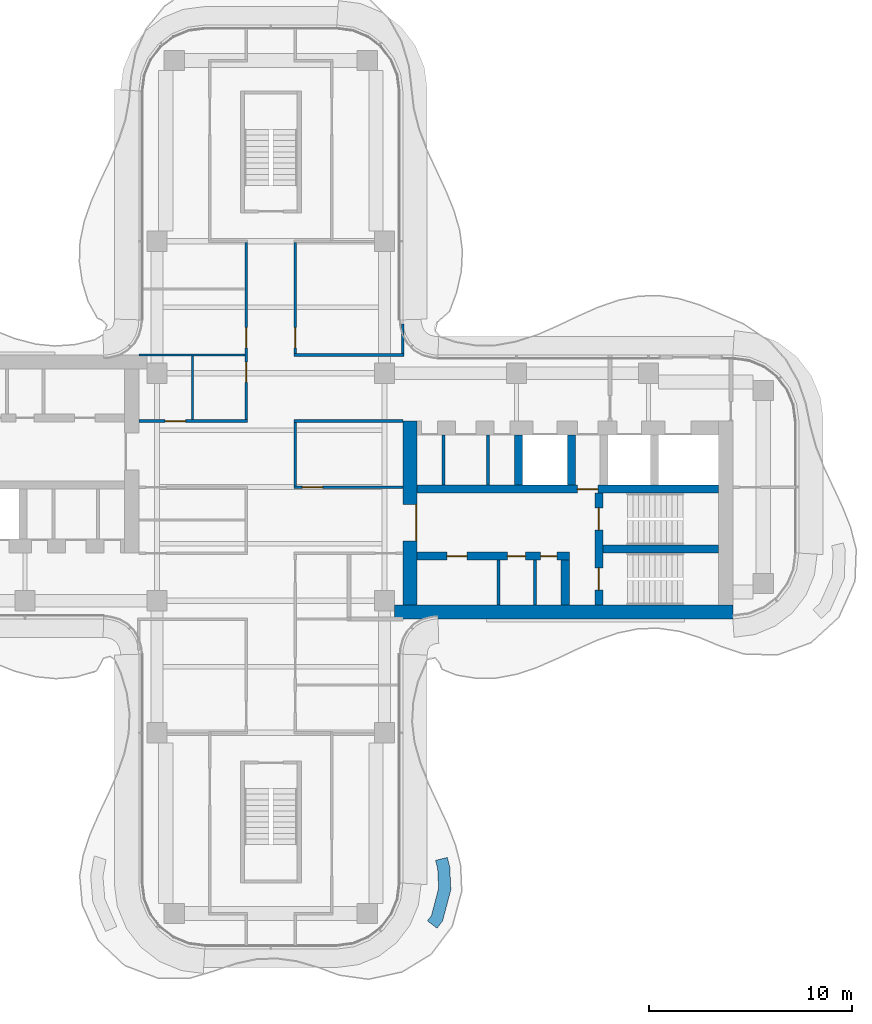
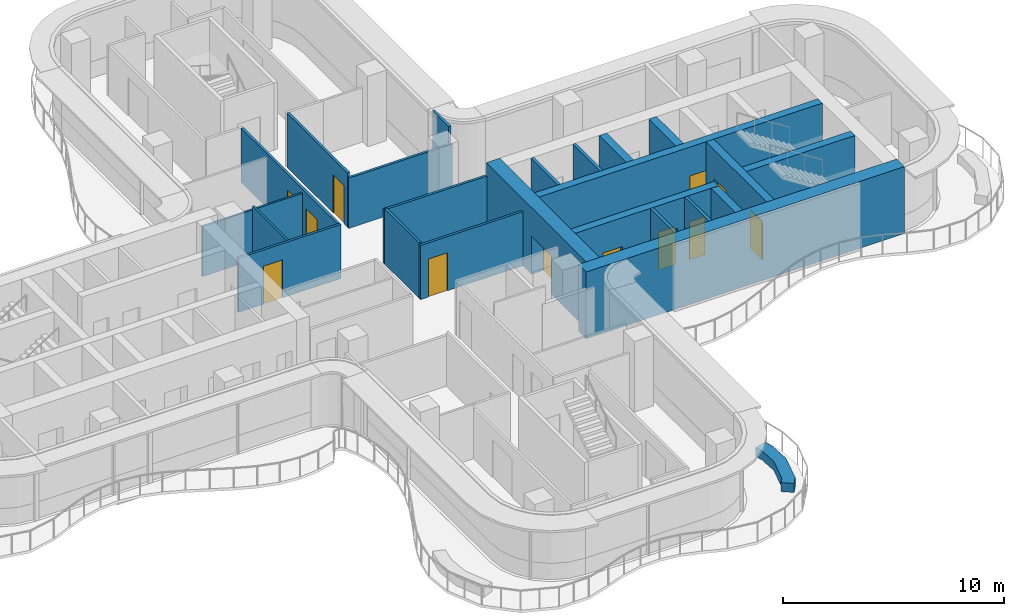
# One storey, part 13 of 17: 24 walls, 12 doors, 12 openings.
"""IFC4 building model written with IfcOpenShell, lengths in metres."""

import ifcopenshell
import ifcopenshell.guid

model = None  # the IFC model being written
_history = None  # IfcOwnerHistory: only IFC2X3 demands one
_inside = {}  # id of a spatial element -> (the spatial element, [elements in it])
_under = {}  # id of a project, library or spatial element -> (it, [spatial elements below it])
_declared = {}  # id of a project -> (the project, [libraries it declares])
_typed = {}  # id of a type object -> (the type object, [elements of that type])
_made_of = {}  # id of a material, layer set ... -> (it, [elements and type objects made of it])


def new_model(schema):
    """Start an empty IFC model of exactly this schema.

    Asked for "IFC4X3", IfcOpenShell would pick the latest addendum, in which some entities
    have other attributes; the version numbers below select the first issue.
    IFC2X3 requires an IfcOwnerHistory on every rooted entity: one is made here for all.
    """
    global model, _history
    if schema == "IFC4X3":
        model = ifcopenshell.file(schema_version=(4, 3, 0, 0))
    else:
        model = ifcopenshell.file(schema=schema)
    _inside.clear()
    _under.clear()
    _declared.clear()
    _typed.clear()
    _made_of.clear()
    _history = None
    if model.schema == "IFC2X3":
        org = make("IfcOrganization", Name="unknown")
        user = make(
            "IfcPersonAndOrganization",
            ThePerson=make("IfcPerson", FamilyName="unknown"),
            TheOrganization=org,
        )
        app = make(
            "IfcApplication",
            ApplicationDeveloper=org,
            Version="unknown",
            ApplicationFullName="unknown",
            ApplicationIdentifier="unknown",
        )
        _history = make(
            "IfcOwnerHistory",
            OwningUser=user,
            OwningApplication=app,
            ChangeAction="ADDED",
            CreationDate=0,
        )
    return model


def make(cls, **values):
    """One entity of the class cls with the attributes given. An attribute that is None is left unset."""
    return model.create_entity(
        cls, **{name: value for name, value in values.items() if value is not None}
    )


def rooted(cls, **values):
    """An entity with a GlobalId (a new one), such as an element, a storey or a relation."""
    return make(cls, GlobalId=ifcopenshell.guid.new(), OwnerHistory=_history, **values)


def si_unit(unit_type, name, prefix=None):
    """IfcSIUnit, for example si_unit("LENGTHUNIT", "METRE", prefix="MILLI")."""
    return make("IfcSIUnit", UnitType=unit_type, Prefix=prefix, Name=name)


def assignment(units):
    """IfcUnitAssignment: the units of a project."""
    return None if units is None else make("IfcUnitAssignment", Units=units)


def point(xyz):
    """IfcCartesianPoint."""
    return None if xyz is None else make("IfcCartesianPoint", Coordinates=xyz)


def direction(xyz):
    """IfcDirection."""
    return None if xyz is None else make("IfcDirection", DirectionRatios=xyz)


def frame(location, z_axis=None, x_axis=None):
    """IfcAxis2Placement3D, a coordinate frame: its origin and axes. An axis left out is left unset."""
    return make(
        "IfcAxis2Placement3D",
        Location=point(location),
        Axis=direction(z_axis),
        RefDirection=direction(x_axis),
    )


def frame_2d(location, x_axis=None):
    """IfcAxis2Placement2D, a coordinate frame in the plane: its origin and x axis."""
    return make(
        "IfcAxis2Placement2D", Location=point(location), RefDirection=direction(x_axis)
    )


def origin():
    """The frame at (0, 0, 0) with its axes left unset."""
    return frame((0.0, 0.0, 0.0))


def place(relative_to, where):
    """IfcLocalPlacement: puts the frame where relative to a parent placement (None: the world)."""
    return make(
        "IfcLocalPlacement", PlacementRelTo=relative_to, RelativePlacement=where
    )


def context(
    kind, dimensions, precision=None, world=None, true_north=None, identifier=None
):
    """IfcGeometricRepresentationContext, for example the 3D "Model" context."""
    return make(
        "IfcGeometricRepresentationContext",
        ContextIdentifier=identifier,
        ContextType=kind,
        CoordinateSpaceDimension=dimensions,
        Precision=precision,
        WorldCoordinateSystem=world,
        TrueNorth=true_north,
    )


def subcontext(parent, identifier, kind, view, scale=None):
    """IfcGeometricRepresentationSubContext, for example "Body" below "Model"."""
    return make(
        "IfcGeometricRepresentationSubContext",
        ContextIdentifier=identifier,
        ContextType=kind,
        ParentContext=parent,
        TargetScale=scale,
        TargetView=view,
    )


def project(units=None, contexts=None):
    """IfcProject with its units and contexts."""
    return rooted(
        "IfcProject",
        Name="project",
        RepresentationContexts=contexts,
        UnitsInContext=assignment(units),
    )


def spatial(cls, under=None, at=None, **own):
    """A site, building, storey or space (cls), placed at a placement, below another one or the project."""
    s = rooted(cls, ObjectPlacement=at, **own)
    if under is not None:
        _under.setdefault(under.id(), (under, []))[1].append(s)
    return s


def polyline(points):
    """IfcPolyline through the points."""
    return make("IfcPolyline", Points=[point(p) for p in points])


def profile(cls, at=None, kind="AREA", **sizes):
    """A parametric profile (cls). Its sizes go by their IFC names, for example OverallWidth=200.0."""
    return make(cls, ProfileType=kind, Position=at, **sizes)


def rectangle(**sizes):
    """IfcRectangleProfileDef."""
    return profile("IfcRectangleProfileDef", **sizes)


def outline(outer, holes=None, kind="AREA"):
    """IfcArbitraryClosedProfileDef: a profile drawn as a closed curve; with holes, ...WithVoids."""
    if holes is None:
        return make("IfcArbitraryClosedProfileDef", ProfileType=kind, OuterCurve=outer)
    return make(
        "IfcArbitraryProfileDefWithVoids",
        ProfileType=kind,
        OuterCurve=outer,
        InnerCurves=holes,
    )


def extrude(swept, where, along, depth):
    """IfcExtrudedAreaSolid: the profile swept, set in the frame where, extruded along a direction by depth."""
    return make(
        "IfcExtrudedAreaSolid",
        SweptArea=swept,
        Position=where,
        ExtrudedDirection=direction(along),
        Depth=depth,
    )


def shape(context_of_items, identifier, shape_type, items):
    """IfcShapeRepresentation: the items that make up one representation, for example the "Body"."""
    return make(
        "IfcShapeRepresentation",
        ContextOfItems=context_of_items,
        RepresentationIdentifier=identifier,
        RepresentationType=shape_type,
        Items=items,
    )


def source(mapping_origin, context_of_items, identifier, shape_type, items):
    """IfcRepresentationMap: a shape defined once, which mapped items show again and again."""
    return make(
        "IfcRepresentationMap",
        MappingOrigin=mapping_origin,
        MappedRepresentation=shape(context_of_items, identifier, shape_type, items),
    )


def transform(
    local_origin,
    x_axis=None,
    y_axis=None,
    z_axis=None,
    scale=None,
    scale2=None,
    scale3=None,
    uniform=True,
):
    """IfcCartesianTransformationOperator3D, or its non-uniform kind. x_axis, y_axis, z_axis: its Axis1, 2, 3."""
    if uniform:
        return make(
            "IfcCartesianTransformationOperator3D",
            Axis1=direction(x_axis),
            Axis2=direction(y_axis),
            LocalOrigin=point(local_origin),
            Scale=scale,
            Axis3=direction(z_axis),
        )
    return make(
        "IfcCartesianTransformationOperator3DnonUniform",
        Axis1=direction(x_axis),
        Axis2=direction(y_axis),
        LocalOrigin=point(local_origin),
        Scale=scale,
        Axis3=direction(z_axis),
        Scale2=scale2,
        Scale3=scale3,
    )


def mapped(mapping_source, mapping_target):
    """IfcMappedItem: shows the shape of a source again, moved by a transform."""
    return make(
        "IfcMappedItem", MappingSource=mapping_source, MappingTarget=mapping_target
    )


def material(Name=None, Category=None):
    """IfcMaterial."""
    return make("IfcMaterial", Name=Name, Category=Category)


def layer(
    of_material, thickness, ventilated=None, Name=None, Category=None, Priority=None
):
    """IfcMaterialLayer: one layer of a wall or slab, of a material (None: an air gap)."""
    return make(
        "IfcMaterialLayer",
        Material=of_material,
        LayerThickness=thickness,
        IsVentilated=ventilated,
        Name=Name,
        Category=Category,
        Priority=Priority,
    )


def layer_set(layers, Name=None):
    """IfcMaterialLayerSet."""
    return make("IfcMaterialLayerSet", MaterialLayers=layers, LayerSetName=Name)


def made_of(thing, what):
    """Note that an element or type object is made of a material, layer set ...; save() writes the relation."""
    if what is not None:
        _made_of.setdefault(what.id(), (what, []))[1].append(thing)
    return thing


def type_object(cls, material=None, **own):
    """A type object (cls), such as IfcWallType, which elements share."""
    return made_of(rooted(cls, **own), material)


def element(
    cls,
    number,
    at=None,
    inside=None,
    cuts=None,
    type_object=None,
    material=None,
    context=None,
    identifier="Body",
    shape_type=None,
    held_by="IfcProductDefinitionShape",
    body=None,
    shapes=None,
    **own,
):
    """One element of the class cls, such as IfcWall. Its Tag is "e" and its number.

    at: its placement. inside: the storey or other place that contains it. cuts: it is an
    opening in that element (IfcRelVoidsElement). A single representation is given by context,
    identifier, shape_type and body (its items); several are given by shapes. held_by: the class
    of the entity that holds the representations. save() writes the other relations.
    """
    e = rooted(cls, Tag="e%d" % number, ObjectPlacement=at, **own)
    if body is not None:
        shapes = [shape(context, identifier, shape_type, body)]
    if shapes is not None:
        e.Representation = make(held_by, Representations=shapes)
    if inside is not None:
        _inside.setdefault(inside.id(), (inside, []))[1].append(e)
    if cuts is not None:
        rooted(
            "IfcRelVoidsElement", RelatingBuildingElement=cuts, RelatedOpeningElement=e
        )
    if type_object is not None:
        _typed.setdefault(type_object.id(), (type_object, []))[1].append(e)
    return made_of(e, material)


def fill(opening, filler):
    """IfcRelFillsElement: the door or window that sits in an opening."""
    return rooted(
        "IfcRelFillsElement",
        RelatingOpeningElement=opening,
        RelatedBuildingElement=filler,
    )


def aggregate(whole, parts):
    """IfcRelAggregates: a whole, such as a stair, and the parts it consists of."""
    return rooted("IfcRelAggregates", RelatingObject=whole, RelatedObjects=parts)


def save(model, path):
    """Write the relations noted so far, then the file.

    IfcRelAggregates (storeys below a building ...), IfcRelContainedInSpatialStructure (elements
    in a storey), IfcRelDefinesByType, IfcRelAssociatesMaterial and IfcRelDeclares: one each for
    every whole, place, type object, material and project.
    """
    for whole, parts in _under.values():
        aggregate(whole, parts)
    for where, things in _inside.values():
        rooted(
            "IfcRelContainedInSpatialStructure",
            RelatedElements=things,
            RelatingStructure=where,
        )
    for kind, things in _typed.values():
        rooted("IfcRelDefinesByType", RelatedObjects=things, RelatingType=kind)
    for what, things in _made_of.values():
        rooted("IfcRelAssociatesMaterial", RelatedObjects=things, RelatingMaterial=what)
    for by, libraries in _declared.values():
        rooted("IfcRelDeclares", RelatingContext=by, RelatedDefinitions=libraries)
    model.write(path)


model = new_model("IFC4")

# Units and contexts
model_context = context("Model", 3, precision=1e-05, world=origin(), true_north=direction((0.0, 1.0)))
body_context = subcontext(model_context, "Body", "Model", "MODEL_VIEW")
ifc_project = project(units=[si_unit("LENGTHUNIT", "METRE"), si_unit("AREAUNIT", "SQUARE_METRE"), si_unit("VOLUMEUNIT", "CUBIC_METRE"), si_unit("PLANEANGLEUNIT", "RADIAN"), si_unit("MASSUNIT", "GRAM", prefix="KILO")], contexts=[model_context])

# Site, building, storey
site_placement = place(None, origin())
site = spatial("IfcSite", under=ifc_project, at=site_placement, CompositionType="ELEMENT")
building_placement = place(site_placement, origin())
building = spatial("IfcBuilding", under=site, at=building_placement, Name="Trellis Farm Tower", CompositionType="ELEMENT")
storey_placement = place(building_placement, frame((0.0, 0.0, 295.0)))
storey = spatial("IfcBuildingStorey", under=building, at=storey_placement, Name="L66", CompositionType="ELEMENT", Elevation=295.0)

# Wall
ifc_material_1 = material(Name="Sandstone faced masonry planter", Category="masonry")
ifc_layer_1 = layer(ifc_material_1, 0.60009765625)
ifc_layer_set_1 = layer_set([ifc_layer_1], Name="PLANTER BED 600")
wall_type_1 = type_object("IfcWallType", Name="PLANTER BED 600", PredefinedType="USERDEFINED", material=ifc_layer_set_1)
wall_1_placement = place(storey_placement, origin())
element("IfcWall", 1, at=wall_1_placement, inside=storey, type_object=wall_type_1, Name="PLANTER bed", ObjectType="PLANTER", PredefinedType="USERDEFINED", context=body_context, shape_type="SweptSolid", body=[
    extrude(outline(polyline([(8.865478515625, -19.822265625), (8.459228515625, -21.364013671875), (8.186767578125, -21.725830078125), (7.70751953125, -21.36474609375), (7.908935546875, -21.09716796875), (8.26171875, -19.759033203125), (8.214111328125, -18.7900390625), (8.109619140625, -18.3837890625), (8.6904296875, -18.234130859375), (8.810302734375, -18.69970703125), (8.865478515625, -19.822265625)])), origin(), (0.0, 0.0, 1.0), 0.5),
])

# Wall, opening, door
ifc_material_2 = material(Name="Concrete C50/60", Category="concrete")
ifc_layer_2 = layer(ifc_material_2, 0.699951171875)
ifc_layer_set_2 = layer_set([ifc_layer_2], Name="CORE OUTER WALL 700 CONCRETE C50/60")
wall_type_2 = type_object("IfcWallType", Name="CORE OUTER WALL 700 CONCRETE C50/60", PredefinedType="SHEAR", material=ifc_layer_set_2)
shared_shape_1 = source(origin(), body_context, "Body", "SweptSolid", [
    extrude(rectangle(XDim=9.050048828125, YDim=0.699951171875, at=frame_2d((4.52490234375, 0.0))), origin(), (0.0, 0.0, 1.0), 3.699951171875),
])
wall_2_placement = place(storey_placement, frame((6.85009765625, -5.800048828125, 0.0), z_axis=(0.0, 0.0, 1.0), x_axis=(0.0, 1.0, 0.0)))
wall_2 = element("IfcWall", 2, at=wall_2_placement, inside=storey, type_object=wall_type_2, Name="Core wall", PredefinedType="SHEAR", context=body_context, shape_type="MappedRepresentation", body=[
    mapped(shared_shape_1, transform((0.0, 0.0, 0.0))),
])
shared_shape_2 = source(origin(), body_context, "Body", "SweptSolid", [
    extrude(rectangle(XDim=1.800048828125, YDim=2.10009765625, at=frame_2d((0.89990234375, 1.050048828125))), frame((0.0, 0.360107421875, 0.0), z_axis=(0.0, -1.0, 0.0), x_axis=(1.0, 0.0, 0.0)), (0.0, 0.0, 1.0), 0.72021484375),
])
opening_1_placement = place(wall_2_placement, frame((3.14990234375, 0.0, 0.0)))
opening_1 = element("IfcOpeningElement", 3, at=opening_1_placement, cuts=wall_2, Name="Opening DC1", PredefinedType="OPENING", context=body_context, shape_type="MappedRepresentation", body=[
    mapped(shared_shape_2, transform((0.0, 0.0, 0.0))),
])
ifc_material_3 = material(Name="Steel", Category="steel")
door_type_1 = type_object("IfcDoorType", Name="CORE FIRE DOOR DOUBLE 1800 X 2100", OperationType="DOUBLE_DOOR_SINGLE_SWING", PredefinedType="DOOR", material=ifc_material_3)
shared_shape_3 = source(origin(), body_context, "Body", "SweptSolid", [
    extrude(rectangle(XDim=1.800048828125, YDim=2.10009765625, at=frame_2d((0.89990234375, 1.050048828125))), frame((0.0, -0.27490234375, 0.0), z_axis=(0.0, -1.0, 0.0), x_axis=(1.0, 0.0, 0.0)), (0.0, 0.0, 1.0), 0.050048828125),
])
door_1_placement = place(opening_1_placement, origin())
door_1 = element("IfcDoor", 4, at=door_1_placement, inside=storey, type_object=door_type_1, Name="Core door", OperationType="DOUBLE_DOOR_SINGLE_SWING", OverallHeight=2.10009765625, OverallWidth=1.800048828125, PredefinedType="DOOR", context=body_context, shape_type="MappedRepresentation", body=[
    mapped(shared_shape_3, transform((0.0, 0.0, 0.0))),
])
fill(opening_1, door_1)

# Walls
ifc_layer_3 = layer(ifc_material_2, 0.39990234375)
ifc_layer_set_3 = layer_set([ifc_layer_3], Name="CORE INNER WALL 400 CONCRETE C50/60")
wall_type_3 = type_object("IfcWallType", Name="CORE INNER WALL 400 CONCRETE C50/60", PredefinedType="SHEAR", material=ifc_layer_set_3)
shared_shape_4 = source(origin(), body_context, "Body", "SweptSolid", [
    extrude(rectangle(XDim=2.449951171875, YDim=0.39990234375, at=frame_2d((1.22509765625, 0.0))), origin(), (0.0, 0.0, 1.0), 3.699951171875),
])
for number, where, z_axis, x_axis, name in (
    (5, (12.199951171875, 0.10009765625, 0.0), (0.0, 0.0, 1.0), (0.0, 1.0, 0.0), "Core wall"),
    (6, (14.800048828125, 0.10009765625, 0.0), (0.0, 0.0, 1.0), (0.0, 1.0, 0.0), "Core wall"),
):
    element("IfcWall", number, at=place(storey_placement, frame(where, z_axis=z_axis, x_axis=x_axis)), inside=storey, type_object=wall_type_3, Name=name, PredefinedType="SHEAR", context=body_context, shape_type="MappedRepresentation", body=[
        mapped(shared_shape_4, transform((0.0, 0.0, 0.0))),
    ])

# Wall, openings, doors
shared_shape_5 = source(origin(), body_context, "Body", "SweptSolid", [
    extrude(rectangle(XDim=7.5, YDim=0.39990234375, at=frame_2d((3.75, 0.0))), origin(), (0.0, 0.0, 1.0), 3.699951171875),
])
wall_3_placement = place(storey_placement, frame((7.199951171875, -3.39990234375, 0.0), z_axis=(0.0, 0.0, 1.0), x_axis=(1.0, 0.0, 0.0)))
wall_3 = element("IfcWall", 7, at=wall_3_placement, inside=storey, type_object=wall_type_3, Name="Core wall", PredefinedType="SHEAR", context=body_context, shape_type="MappedRepresentation", body=[
    mapped(shared_shape_5, transform((0.0, 0.0, 0.0))),
])
shared_shape_6 = source(origin(), body_context, "Body", "SweptSolid", [
    extrude(rectangle(XDim=1.0, YDim=2.10009765625, at=frame_2d((0.5, 1.050048828125))), frame((0.0, 0.2099609375, 0.0), z_axis=(0.0, -1.0, 0.0), x_axis=(1.0, 0.0, 0.0)), (0.0, 0.0, 1.0), 0.419921875),
])
opening_2_placement = place(wall_3_placement, frame((1.46240234375, 0.0, 0.0)))
opening_2 = element("IfcOpeningElement", 8, at=opening_2_placement, cuts=wall_3, Name="Opening DC55", PredefinedType="OPENING", context=body_context, shape_type="MappedRepresentation", body=[
    mapped(shared_shape_6, transform((0.0, 0.0, 0.0))),
])
shared_shape_7 = source(origin(), body_context, "Body", "SweptSolid", [
    extrude(rectangle(XDim=0.89990234375, YDim=2.10009765625, at=frame_2d((0.449951171875, 1.050048828125))), frame((0.0, 0.2099609375, 0.0), z_axis=(0.0, -1.0, 0.0), x_axis=(1.0, 0.0, 0.0)), (0.0, 0.0, 1.0), 0.419921875),
])
opening_3_placement = place(wall_3_placement, frame((4.449951171875, 0.0, 0.0)))
opening_3 = element("IfcOpeningElement", 9, at=opening_3_placement, cuts=wall_3, Name="Opening DC60", PredefinedType="OPENING", context=body_context, shape_type="MappedRepresentation", body=[
    mapped(shared_shape_7, transform((0.0, 0.0, 0.0))),
])
shared_shape_8 = source(origin(), body_context, "Body", "SweptSolid", [
    extrude(rectangle(XDim=0.800048828125, YDim=2.10009765625, at=frame_2d((0.39990234375, 1.050048828125))), frame((0.0, 0.2099609375, 0.0), z_axis=(0.0, -1.0, 0.0), x_axis=(1.0, 0.0, 0.0)), (0.0, 0.0, 1.0), 0.419921875),
])
opening_4_placement = place(wall_3_placement, frame((6.08740234375, 0.0, 0.0)))
opening_4 = element("IfcOpeningElement", 10, at=opening_4_placement, cuts=wall_3, Name="Opening DC63", PredefinedType="OPENING", context=body_context, shape_type="MappedRepresentation", body=[
    mapped(shared_shape_8, transform((0.0, 0.0, 0.0))),
])
door_type_2 = type_object("IfcDoorType", Name="CORE FIRE DOOR 1000 X 2100", OperationType="NOTDEFINED", PredefinedType="DOOR", material=ifc_material_3)
shared_shape_9 = source(origin(), body_context, "Body", "SweptSolid", [
    extrude(rectangle(XDim=1.0, YDim=2.10009765625, at=frame_2d((0.5, 1.050048828125))), frame((0.0, 0.02490234375, 0.0), z_axis=(0.0, -1.0, 0.0), x_axis=(1.0, 0.0, 0.0)), (0.0, 0.0, 1.0), 0.050048828125),
])
door_2_placement = place(opening_2_placement, origin())
door_2 = element("IfcDoor", 11, at=door_2_placement, inside=storey, type_object=door_type_2, Name="Core door", OperationType="SINGLE_SWING_LEFT", OverallHeight=2.10009765625, OverallWidth=1.0, PredefinedType="DOOR", context=body_context, shape_type="MappedRepresentation", body=[
    mapped(shared_shape_9, transform((0.0, 0.0, 0.0))),
])
fill(opening_2, door_2)
door_type_3 = type_object("IfcDoorType", Name="CORE FIRE DOOR 900 X 2100", OperationType="NOTDEFINED", PredefinedType="DOOR", material=ifc_material_3)
shared_shape_10 = source(origin(), body_context, "Body", "SweptSolid", [
    extrude(rectangle(XDim=0.89990234375, YDim=2.10009765625, at=frame_2d((0.449951171875, 1.050048828125))), frame((0.0, 0.02490234375, 0.0), z_axis=(0.0, -1.0, 0.0), x_axis=(1.0, 0.0, 0.0)), (0.0, 0.0, 1.0), 0.050048828125),
])
door_3_placement = place(opening_3_placement, origin())
door_3 = element("IfcDoor", 12, at=door_3_placement, inside=storey, type_object=door_type_3, Name="Core door", OperationType="SINGLE_SWING_RIGHT", OverallHeight=2.10009765625, OverallWidth=0.89990234375, PredefinedType="DOOR", context=body_context, shape_type="MappedRepresentation", body=[
    mapped(shared_shape_10, transform((0.0, 0.0, 0.0))),
])
fill(opening_3, door_3)
door_type_4 = type_object("IfcDoorType", Name="CORE FIRE DOOR 800 X 2100", OperationType="NOTDEFINED", PredefinedType="DOOR", material=ifc_material_3)
shared_shape_11 = source(origin(), body_context, "Body", "SweptSolid", [
    extrude(rectangle(XDim=0.800048828125, YDim=2.10009765625, at=frame_2d((0.39990234375, 1.050048828125))), frame((0.0, 0.02490234375, 0.0), z_axis=(0.0, -1.0, 0.0), x_axis=(1.0, 0.0, 0.0)), (0.0, 0.0, 1.0), 0.050048828125),
])
door_4_placement = place(opening_4_placement, origin())
door_4 = element("IfcDoor", 13, at=door_4_placement, inside=storey, type_object=door_type_4, Name="Core door", OperationType="SINGLE_SWING_LEFT", OverallHeight=2.10009765625, OverallWidth=0.800048828125, PredefinedType="DOOR", context=body_context, shape_type="MappedRepresentation", body=[
    mapped(shared_shape_11, transform((0.0, 0.0, 0.0))),
])
fill(opening_4, door_4)

# Wall, opening, door
shared_shape_12 = source(origin(), body_context, "Body", "SweptSolid", [
    extrude(rectangle(XDim=14.85009765625, YDim=0.39990234375, at=frame_2d((7.425048828125, 0.0))), origin(), (0.0, 0.0, 1.0), 3.699951171875),
])
wall_4_placement = place(storey_placement, frame((7.199951171875, -0.10009765625, 0.0), z_axis=(0.0, 0.0, 1.0), x_axis=(1.0, 0.0, 0.0)))
wall_4 = element("IfcWall", 14, at=wall_4_placement, inside=storey, type_object=wall_type_3, Name="Core wall", PredefinedType="SHEAR", context=body_context, shape_type="MappedRepresentation", body=[
    mapped(shared_shape_12, transform((0.0, 0.0, 0.0))),
])
opening_5_placement = place(wall_4_placement, frame((7.89990234375, 0.0, 0.0)))
opening_5 = element("IfcOpeningElement", 15, at=opening_5_placement, cuts=wall_4, Name="Opening DC5", PredefinedType="OPENING", context=body_context, shape_type="MappedRepresentation", body=[
    mapped(shared_shape_6, transform((0.0, 0.0, 0.0))),
])
door_5_placement = place(opening_5_placement, origin())
door_5 = element("IfcDoor", 16, at=door_5_placement, inside=storey, type_object=door_type_2, Name="Core door", OperationType="SINGLE_SWING_RIGHT", OverallHeight=2.10009765625, OverallWidth=1.0, PredefinedType="DOOR", context=body_context, shape_type="MappedRepresentation", body=[
    mapped(shared_shape_9, transform((0.0, 0.0, 0.0))),
])
fill(opening_5, door_5)

# Wall, openings, doors
shared_shape_13 = source(origin(), body_context, "Body", "SweptSolid", [
    extrude(rectangle(XDim=5.5, YDim=0.39990234375, at=frame_2d((2.75, 0.0))), origin(), (0.0, 0.0, 1.0), 3.699951171875),
])
wall_5_placement = place(storey_placement, frame((16.14990234375, -5.800048828125, 0.0), z_axis=(0.0, 0.0, 1.0), x_axis=(0.0, 1.0, 0.0)))
wall_5 = element("IfcWall", 17, at=wall_5_placement, inside=storey, type_object=wall_type_3, Name="Core wall", PredefinedType="SHEAR", context=body_context, shape_type="MappedRepresentation", body=[
    mapped(shared_shape_13, transform((0.0, 0.0, 0.0))),
])
shared_shape_14 = source(origin(), body_context, "Body", "SweptSolid", [
    extrude(rectangle(XDim=1.10009765625, YDim=2.10009765625, at=frame_2d((0.550048828125, 1.050048828125))), frame((0.0, 0.2099609375, 0.0), z_axis=(0.0, -1.0, 0.0), x_axis=(1.0, 0.0, 0.0)), (0.0, 0.0, 1.0), 0.419921875),
])
opening_6_placement = place(wall_5_placement, frame((0.72509765625, 0.0, 0.0)))
opening_6 = element("IfcOpeningElement", 18, at=opening_6_placement, cuts=wall_5, Name="Opening DC2", PredefinedType="OPENING", context=body_context, shape_type="MappedRepresentation", body=[
    mapped(shared_shape_14, transform((0.0, 0.0, 0.0))),
])
opening_7_placement = place(wall_5_placement, frame((3.675048828125, 0.0, 0.0)))
opening_7 = element("IfcOpeningElement", 19, at=opening_7_placement, cuts=wall_5, Name="Opening DC3", PredefinedType="OPENING", context=body_context, shape_type="MappedRepresentation", body=[
    mapped(shared_shape_14, transform((0.0, 0.0, 0.0))),
])
door_type_5 = type_object("IfcDoorType", Name="CORE FIRE DOOR 1100 X 2100", OperationType="NOTDEFINED", PredefinedType="DOOR", material=ifc_material_3)
shared_shape_15 = source(origin(), body_context, "Body", "SweptSolid", [
    extrude(rectangle(XDim=1.10009765625, YDim=2.10009765625, at=frame_2d((0.550048828125, 1.050048828125))), frame((0.0, 0.02490234375, 0.0), z_axis=(0.0, -1.0, 0.0), x_axis=(1.0, 0.0, 0.0)), (0.0, 0.0, 1.0), 0.050048828125),
])
door_6_placement = place(opening_6_placement, origin())
door_6 = element("IfcDoor", 20, at=door_6_placement, inside=storey, type_object=door_type_5, Name="Core door", OperationType="SINGLE_SWING_RIGHT", OverallHeight=2.10009765625, OverallWidth=1.10009765625, PredefinedType="DOOR", context=body_context, shape_type="MappedRepresentation", body=[
    mapped(shared_shape_15, transform((0.0, 0.0, 0.0))),
])
fill(opening_6, door_6)
door_7_placement = place(opening_7_placement, origin())
door_7 = element("IfcDoor", 21, at=door_7_placement, inside=storey, type_object=door_type_5, Name="Core door", OperationType="SINGLE_SWING_LEFT", OverallHeight=2.10009765625, OverallWidth=1.10009765625, PredefinedType="DOOR", context=body_context, shape_type="MappedRepresentation", body=[
    mapped(shared_shape_15, transform((0.0, 0.0, 0.0))),
])
fill(opening_7, door_7)

# Walls
shared_shape_16 = source(origin(), body_context, "Body", "SweptSolid", [
    extrude(rectangle(XDim=5.699951171875, YDim=0.39990234375, at=frame_2d((2.85009765625, 0.0))), origin(), (0.0, 0.0, 1.0), 3.699951171875),
])
wall_6_placement = place(storey_placement, frame((16.35009765625, -3.050048828125, 0.0), z_axis=(0.0, 0.0, 1.0), x_axis=(1.0, 0.0, 0.0)))
element("IfcWall", 22, at=wall_6_placement, inside=storey, type_object=wall_type_3, Name="Core wall", PredefinedType="SHEAR", context=body_context, shape_type="MappedRepresentation", body=[
    mapped(shared_shape_16, transform((0.0, 0.0, 0.0))),
])
shared_shape_17 = source(origin(), body_context, "Body", "SweptSolid", [
    extrude(rectangle(XDim=2.199951171875, YDim=0.39990234375, at=frame_2d((1.10009765625, 0.0))), origin(), (0.0, 0.0, 1.0), 3.699951171875),
])
wall_7_placement = place(storey_placement, frame((14.5, -5.800048828125, 0.0), z_axis=(0.0, 0.0, 1.0), x_axis=(0.0, 1.0, 0.0)))
element("IfcWall", 23, at=wall_7_placement, inside=storey, type_object=wall_type_3, Name="Core wall", PredefinedType="SHEAR", context=body_context, shape_type="MappedRepresentation", body=[
    mapped(shared_shape_17, transform((0.0, 0.0, 0.0))),
])
ifc_material_4 = material(Name="Masonry blockwork", Category="masonry")
ifc_layer_4 = layer(ifc_material_4, 0.14990234375)
ifc_layer_set_4 = layer_set([ifc_layer_4], Name="CORE PARTITION 150 BLOCKWORK")
wall_type_4 = type_object("IfcWallType", Name="CORE PARTITION 150 BLOCKWORK", PredefinedType="PARTITIONING", material=ifc_layer_set_4)
shared_shape_18 = source(origin(), body_context, "Body", "SweptSolid", [
    extrude(rectangle(XDim=2.199951171875, YDim=0.14990234375, at=frame_2d((1.10009765625, 0.0))), origin(), (0.0, 0.0, 1.0), 3.699951171875),
])
for number, where, z_axis, x_axis, name in (
    (24, (11.199951171875, -5.800048828125, 0.0), (0.0, 0.0, 1.0), (0.0, 1.0, 0.0), "Core room partition"),
    (25, (13.0, -5.800048828125, 0.0), (0.0, 0.0, 1.0), (0.0, 1.0, 0.0), "Core room partition"),
):
    element("IfcWall", number, at=place(storey_placement, frame(where, z_axis=z_axis, x_axis=x_axis)), inside=storey, type_object=wall_type_4, Name=name, PredefinedType="PARTITIONING", context=body_context, shape_type="MappedRepresentation", body=[
        mapped(shared_shape_18, transform((0.0, 0.0, 0.0))),
    ])
shared_shape_19 = source(origin(), body_context, "Body", "SweptSolid", [
    extrude(rectangle(XDim=16.64990234375, YDim=0.699951171875, at=frame_2d((8.324951171875, 0.0))), origin(), (0.0, 0.0, 1.0), 3.699951171875),
])
wall_8_placement = place(storey_placement, frame((6.10009765625, -6.14990234375, 0.0), z_axis=(0.0, 0.0, 1.0), x_axis=(1.0, 0.0, 0.0)))
element("IfcWall", 26, at=wall_8_placement, inside=storey, type_object=wall_type_2, Name="Core wall", PredefinedType="SHEAR", context=body_context, shape_type="MappedRepresentation", body=[
    mapped(shared_shape_19, transform((0.0, 0.0, 0.0))),
])
shared_shape_20 = source(origin(), body_context, "Body", "SweptSolid", [
    extrude(rectangle(XDim=2.449951171875, YDim=0.14990234375, at=frame_2d((1.22509765625, 0.0))), origin(), (0.0, 0.0, 1.0), 3.699951171875),
])
for number, where, z_axis, x_axis, name in (
    (27, (8.5, 0.10009765625, 0.0), (0.0, 0.0, 1.0), (0.0, 1.0, 0.0), "Core room partition"),
    (28, (10.699951171875, 0.10009765625, 0.0), (0.0, 0.0, 1.0), (0.0, 1.0, 0.0), "Core room partition"),
):
    element("IfcWall", number, at=place(storey_placement, frame(where, z_axis=z_axis, x_axis=x_axis)), inside=storey, type_object=wall_type_4, Name=name, PredefinedType="PARTITIONING", context=body_context, shape_type="MappedRepresentation", body=[
        mapped(shared_shape_20, transform((0.0, 0.0, 0.0))),
    ])

# Wall, opening, door
ifc_material_5 = material(Name="Plasterboard on steel studs, mineral wool", Category="steel")
ifc_layer_5 = layer(ifc_material_5, 0.125)
ifc_layer_set_5 = layer_set([ifc_layer_5], Name="PARTITION 125 STUD EI 60")
wall_type_5 = type_object("IfcWallType", Name="PARTITION 125 STUD EI 60", PredefinedType="PARTITIONING", material=ifc_layer_set_5)
shared_shape_21 = source(origin(), body_context, "Body", "SweptSolid", [
    extrude(rectangle(XDim=5.47509765625, YDim=0.125, at=frame_2d((2.737548828125, 0.0))), origin(), (0.0, 0.0, 1.0), 2.99658203125),
])
wall_9_placement = place(storey_placement, frame((1.199951171875, 12.03759765625, 0.0), z_axis=(0.0, 0.0, 1.0), x_axis=(0.0, -1.0, 0.0)))
wall_9 = element("IfcWall", 29, at=wall_9_placement, inside=storey, type_object=wall_type_5, Name="Partition PW1", PredefinedType="PARTITIONING", context=body_context, shape_type="MappedRepresentation", body=[
    mapped(shared_shape_21, transform((0.0, 0.0, 0.0))),
])
shared_shape_22 = source(origin(), body_context, "Body", "SweptSolid", [
    extrude(rectangle(XDim=1.0, YDim=2.10009765625, at=frame_2d((0.5, 1.050048828125))), frame((0.0, 0.072509765625, 0.0), z_axis=(0.0, -1.0, 0.0), x_axis=(1.0, 0.0, 0.0)), (0.0, 0.0, 1.0), 0.14501953125),
])
opening_8_placement = place(wall_9_placement, frame((4.1875, 0.0, 0.0)))
opening_8 = element("IfcOpeningElement", 30, at=opening_8_placement, cuts=wall_9, Name="Opening D111", PredefinedType="OPENING", context=body_context, shape_type="MappedRepresentation", body=[
    mapped(shared_shape_22, transform((0.0, 0.0, 0.0))),
])
ifc_material_6 = material(Name="Fire-rated timber door leaf in a hollow metal frame", Category="wood")
door_type_6 = type_object("IfcDoorType", Name="DOOR 1000x2100 FD30S", OperationType="NOTDEFINED", PredefinedType="DOOR", material=ifc_material_6)
door_8_placement = place(opening_8_placement, origin())
door_8 = element("IfcDoor", 31, at=door_8_placement, inside=storey, type_object=door_type_6, Name="Door D111", OperationType="SINGLE_SWING_RIGHT", OverallHeight=2.10009765625, OverallWidth=1.0, PredefinedType="DOOR", context=body_context, shape_type="MappedRepresentation", body=[
    mapped(shared_shape_9, transform((0.0, 0.0, 0.0))),
])
fill(opening_8, door_8)

# Walls
shared_shape_23 = source(origin(), body_context, "Body", "SweptSolid", [
    extrude(rectangle(XDim=3.125, YDim=0.125, at=frame_2d((1.5625, 0.0))), origin(), (0.0, 0.0, 1.0), 3.06787109375),
])
wall_10_placement = place(storey_placement, frame((1.199951171875, 3.1875, 0.0), z_axis=(0.0, 0.0, 1.0), x_axis=(0.0, -1.0, 0.0)))
element("IfcWall", 32, at=wall_10_placement, inside=storey, type_object=wall_type_5, Name="Partition PW1", PredefinedType="PARTITIONING", context=body_context, shape_type="MappedRepresentation", body=[
    mapped(shared_shape_23, transform((0.0, 0.0, 0.0))),
])
shared_shape_24 = source(origin(), body_context, "Body", "SweptSolid", [
    extrude(rectangle(XDim=1.468994140625, YDim=0.125, at=frame_2d((0.734375, 0.0))), origin(), (0.0, 0.0, 1.0), 3.699951171875),
])
wall_11_placement = place(storey_placement, frame((6.5, 6.5625, 0.0), z_axis=(0.0, 0.0, 1.0), x_axis=(0.0, 1.0, 0.0)))
element("IfcWall", 33, at=wall_11_placement, inside=storey, type_object=wall_type_5, Name="Partition PW1", PredefinedType="PARTITIONING", context=body_context, shape_type="MappedRepresentation", body=[
    mapped(shared_shape_24, transform((0.0, 0.0, 0.0))),
])

# Wall, opening, door
shared_shape_25 = source(origin(), body_context, "Body", "SweptSolid", [
    extrude(rectangle(XDim=5.362548828125, YDim=0.125, at=frame_2d((2.68115234375, 0.0))), origin(), (0.0, 0.0, 1.0), 2.99658203125),
])
wall_12_placement = place(storey_placement, frame((6.5, 0.0, 0.0), z_axis=(0.0, 0.0, 1.0), x_axis=(-1.0, 0.0, 0.0)))
wall_12 = element("IfcWall", 34, at=wall_12_placement, inside=storey, type_object=wall_type_5, Name="Partition PW1", PredefinedType="PARTITIONING", context=body_context, shape_type="MappedRepresentation", body=[
    mapped(shared_shape_25, transform((0.0, 0.0, 0.0))),
])
opening_9_placement = place(wall_12_placement, frame((3.949951171875, 0.0, 0.0)))
opening_9 = element("IfcOpeningElement", 35, at=opening_9_placement, cuts=wall_12, Name="Opening D106", PredefinedType="OPENING", context=body_context, shape_type="MappedRepresentation", body=[
    mapped(shared_shape_22, transform((0.0, 0.0, 0.0))),
])
door_9_placement = place(opening_9_placement, origin())
door_9 = element("IfcDoor", 36, at=door_9_placement, inside=storey, type_object=door_type_6, Name="Door D106", OperationType="SINGLE_SWING_RIGHT", OverallHeight=2.10009765625, OverallWidth=1.0, PredefinedType="DOOR", context=body_context, shape_type="MappedRepresentation", body=[
    mapped(shared_shape_9, transform((0.0, 0.0, 0.0))),
])
fill(opening_9, door_9)

wall_13_placement = place(storey_placement, frame((-6.5, 3.25, 0.0), z_axis=(0.0, 0.0, 1.0), x_axis=(1.0, 0.0, 0.0)))
wall_13 = element("IfcWall", 37, at=wall_13_placement, inside=storey, type_object=wall_type_5, Name="Partition PW1", PredefinedType="PARTITIONING", context=body_context, shape_type="MappedRepresentation", body=[
    mapped(shared_shape_25, transform((0.0, 0.0, 0.0))),
])
opening_10_placement = place(wall_13_placement, frame((1.300048828125, 0.0, 0.0)))
opening_10 = element("IfcOpeningElement", 38, at=opening_10_placement, cuts=wall_13, Name="Opening D108", PredefinedType="OPENING", context=body_context, shape_type="MappedRepresentation", body=[
    mapped(shared_shape_22, transform((0.0, 0.0, 0.0))),
])
door_10_placement = place(opening_10_placement, origin())
door_10 = element("IfcDoor", 39, at=door_10_placement, inside=storey, type_object=door_type_6, Name="Door D108", OperationType="SINGLE_SWING_RIGHT", OverallHeight=2.10009765625, OverallWidth=1.0, PredefinedType="DOOR", context=body_context, shape_type="MappedRepresentation", body=[
    mapped(shared_shape_9, transform((0.0, 0.0, 0.0))),
])
fill(opening_10, door_10)

# Wall
wall_14_placement = place(storey_placement, frame((1.137451171875, 3.25, 0.0), z_axis=(0.0, 0.0, 1.0), x_axis=(1.0, 0.0, 0.0)))
element("IfcWall", 40, at=wall_14_placement, inside=storey, type_object=wall_type_5, Name="Partition PW1", PredefinedType="PARTITIONING", context=body_context, shape_type="MappedRepresentation", body=[
    mapped(shared_shape_25, transform((0.0, 0.0, 0.0))),
])

# Wall, openings, doors
shared_shape_26 = source(origin(), body_context, "Body", "SweptSolid", [
    extrude(rectangle(XDim=8.72509765625, YDim=0.125, at=frame_2d((4.362548828125, 0.0))), origin(), (0.0, 0.0, 1.0), 2.99658203125),
])
wall_15_placement = place(storey_placement, frame((-1.199951171875, 12.03759765625, 0.0), z_axis=(0.0, 0.0, 1.0), x_axis=(0.0, -1.0, 0.0)))
wall_15 = element("IfcWall", 41, at=wall_15_placement, inside=storey, type_object=wall_type_5, Name="Partition PW1", PredefinedType="PARTITIONING", context=body_context, shape_type="MappedRepresentation", body=[
    mapped(shared_shape_26, transform((0.0, 0.0, 0.0))),
])
opening_11_placement = place(wall_15_placement, frame((5.887451171875, 0.0, 0.0)))
opening_11 = element("IfcOpeningElement", 42, at=opening_11_placement, cuts=wall_15, Name="Opening D109", PredefinedType="OPENING", context=body_context, shape_type="MappedRepresentation", body=[
    mapped(shared_shape_22, transform((0.0, 0.0, 0.0))),
])
opening_12_placement = place(wall_15_placement, frame((4.1875, 0.0, 0.0)))
opening_12 = element("IfcOpeningElement", 43, at=opening_12_placement, cuts=wall_15, Name="Opening D110", PredefinedType="OPENING", context=body_context, shape_type="MappedRepresentation", body=[
    mapped(shared_shape_22, transform((0.0, 0.0, 0.0))),
])
door_11_placement = place(opening_11_placement, origin())
door_11 = element("IfcDoor", 44, at=door_11_placement, inside=storey, type_object=door_type_6, Name="Door D109", OperationType="SINGLE_SWING_LEFT", OverallHeight=2.10009765625, OverallWidth=1.0, PredefinedType="DOOR", context=body_context, shape_type="MappedRepresentation", body=[
    mapped(shared_shape_9, transform((0.0, 0.0, 0.0))),
])
fill(opening_11, door_11)
door_12_placement = place(opening_12_placement, origin())
door_12 = element("IfcDoor", 45, at=door_12_placement, inside=storey, type_object=door_type_6, Name="Door D110", OperationType="SINGLE_SWING_RIGHT", OverallHeight=2.10009765625, OverallWidth=1.0, PredefinedType="DOOR", context=body_context, shape_type="MappedRepresentation", body=[
    mapped(shared_shape_9, transform((0.0, 0.0, 0.0))),
])
fill(opening_12, door_12)

# Walls
shared_shape_27 = source(origin(), body_context, "Body", "SweptSolid", [
    extrude(rectangle(XDim=5.425048828125, YDim=0.125, at=frame_2d((2.71240234375, 0.0))), origin(), (0.0, 0.0, 1.0), 2.780029296875),
])
wall_16_placement = place(storey_placement, frame((1.137451171875, 6.5, 0.0), z_axis=(0.0, 0.0, 1.0), x_axis=(1.0, 0.0, 0.0)))
element("IfcWall", 46, at=wall_16_placement, inside=storey, type_object=wall_type_5, Name="Partition PW1", PredefinedType="PARTITIONING", context=body_context, shape_type="MappedRepresentation", body=[
    mapped(shared_shape_27, transform((0.0, 0.0, 0.0))),
])
ifc_material_7 = material(Name="Plasterboard on steel studs", Category="steel")
ifc_layer_6 = layer(ifc_material_7, 0.10009765625)
ifc_layer_set_6 = layer_set([ifc_layer_6], Name="PARTITION 100 STUD EI 30")
wall_type_6 = type_object("IfcWallType", Name="PARTITION 100 STUD EI 30", PredefinedType="PARTITIONING", material=ifc_layer_set_6)
shared_shape_28 = source(origin(), body_context, "Body", "SweptSolid", [
    extrude(rectangle(XDim=5.237548828125, YDim=0.10009765625, at=frame_2d((2.61865234375, 0.0))), origin(), (0.0, 0.0, 1.0), 2.780029296875),
])
wall_17_placement = place(storey_placement, frame((-6.5, 6.5, 0.0), z_axis=(0.0, 0.0, 1.0), x_axis=(1.0, 0.0, 0.0)))
element("IfcWall", 47, at=wall_17_placement, inside=storey, type_object=wall_type_6, Name="Partition PW2", PredefinedType="PARTITIONING", context=body_context, shape_type="MappedRepresentation", body=[
    mapped(shared_shape_28, transform((0.0, 0.0, 0.0))),
])
shared_shape_29 = source(origin(), body_context, "Body", "SweptSolid", [
    extrude(rectangle(XDim=3.137451171875, YDim=0.10009765625, at=frame_2d((1.56884765625, 0.0))), origin(), (0.0, 0.0, 1.0), 2.99658203125),
])
wall_18_placement = place(storey_placement, frame((-3.85009765625, 3.3125, 0.0), z_axis=(0.0, 0.0, 1.0), x_axis=(0.0, 1.0, 0.0)))
element("IfcWall", 48, at=wall_18_placement, inside=storey, type_object=wall_type_6, Name="Partition PW2", PredefinedType="PARTITIONING", context=body_context, shape_type="MappedRepresentation", body=[
    mapped(shared_shape_29, transform((0.0, 0.0, 0.0))),
])

save(model, "model.ifc")
